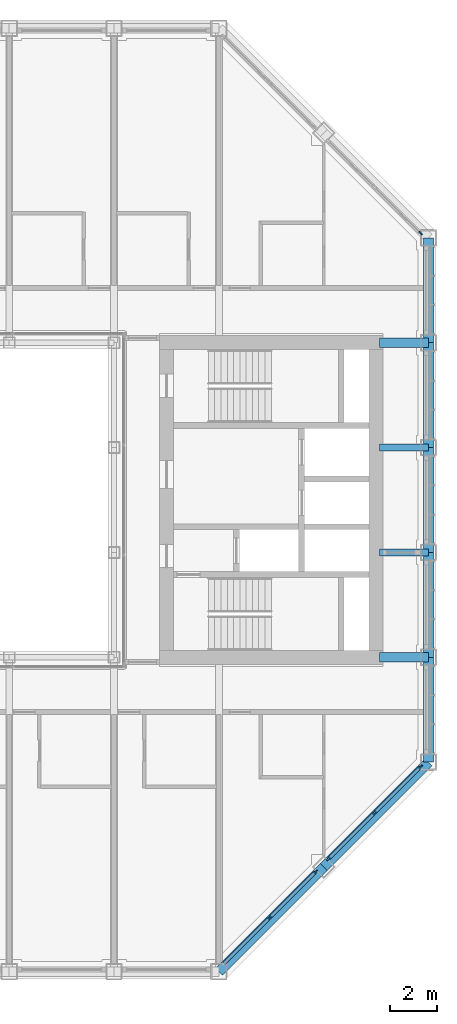
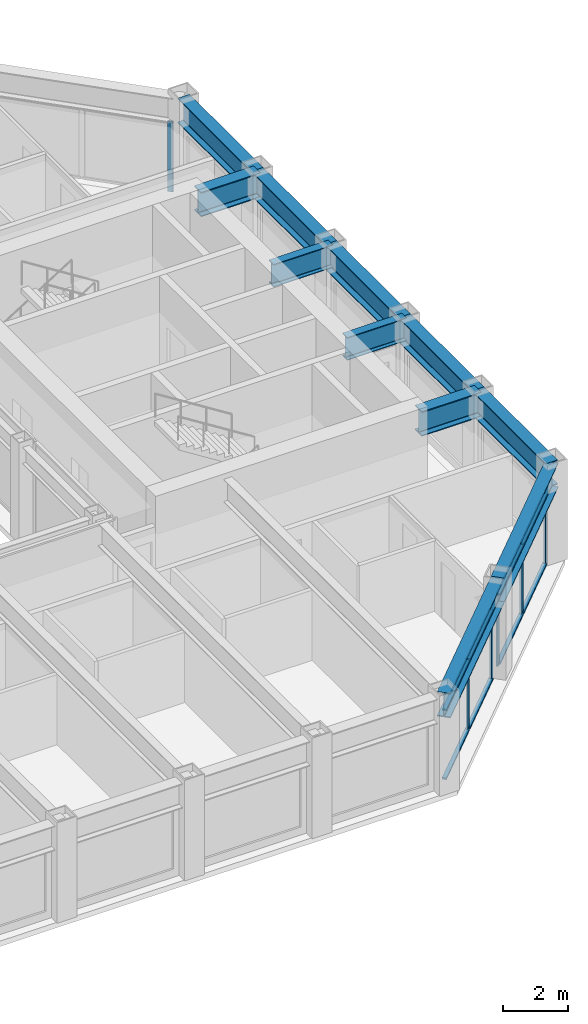
# One storey, part 5 of 18: 14 members, 11 beams, 3 elements without a shape of their own.
"""IFC4 building model written with IfcOpenShell, lengths in metres."""

from ifc_helpers import new_model, si_unit, direction, frame, origin, origin_2d, place, context, subcontext, project, spatial, rectangle, i_section, extrude, material, material_profile, profile_set, type_object, element, aggregate, save


model = new_model("IFC4")

# Units and contexts
model_context = context("Model", 3, precision=1e-05, world=origin(), true_north=direction((0.0, 1.0)))
body_context = subcontext(model_context, "Body", "Model", "MODEL_VIEW")
ifc_project = project(units=[si_unit("LENGTHUNIT", "METRE"), si_unit("AREAUNIT", "SQUARE_METRE"), si_unit("VOLUMEUNIT", "CUBIC_METRE"), si_unit("PLANEANGLEUNIT", "RADIAN"), si_unit("MASSUNIT", "GRAM", prefix="KILO")], contexts=[model_context])

# Site, building, storey
site_placement = place(None, origin())
site = spatial("IfcSite", under=ifc_project, at=site_placement, CompositionType="ELEMENT")
building_placement = place(site_placement, origin())
building = spatial("IfcBuilding", under=site, at=building_placement, Name="Msasa Ring Tower", CompositionType="ELEMENT")
storey_placement = place(building_placement, frame((0.0, 0.0, 200.800048828125)))
storey = spatial("IfcBuildingStorey", under=building, at=storey_placement, Name="L52", CompositionType="ELEMENT", Elevation=200.800048828125)

# Curtain wall, members
ifc_material_1 = material(Name="Aluminium curtain wall with clear glass", Category="aluminium")
curtain_wall_type = type_object("IfcCurtainWallType", Name="CW-C CHAMFER CORNER CURTAIN WALL", PredefinedType="NOTDEFINED", material=ifc_material_1)
curtain_wall_1_placement = place(storey_placement, origin())
curtain_wall_1 = element("IfcCurtainWall", 1, at=curtain_wall_1_placement, inside=storey, type_object=curtain_wall_type, Name="Chamfer corner curtain wall SE L52", PredefinedType="NOTDEFINED")
ifc_material_2 = material(Name="Aluminium mullion", Category="aluminium")
ifc_material_profile_1 = material_profile(ifc_material_2, rectangle(XDim=0.06494140625, YDim=0.179931640625, at=origin_2d()), Name="AL 65x180")
ifc_profile_set_1 = profile_set([ifc_material_profile_1], Name="Aluminium mullion")
member_type_1 = type_object("IfcMemberType", Name="CW-C MULLION 65x180", PredefinedType="MULLION", material=ifc_profile_set_1)
member_1_placement = place(storey_placement, frame((13.42919921875, -17.92919921875, 0.0), z_axis=(0.0, 0.0, 1.0), x_axis=(-0.707106781187, 0.707106781187, 0.0)))
member_1 = element("IfcMember", 2, at=member_1_placement, type_object=member_type_1, Name="CW-C mullion 2", PredefinedType="MULLION", context=body_context, shape_type="SweptSolid", body=[
    extrude(rectangle(XDim=0.06494140625, YDim=0.179931640625, at=origin_2d()), origin(), (0.0, 0.0, 1.0), 2.62890625),
])
member_2_placement = place(storey_placement, frame((15.4052734375, -15.953369140625, 0.0), z_axis=(0.0, 0.0, 1.0), x_axis=(-0.707106781187, 0.707106781187, 0.0)))
member_2 = element("IfcMember", 3, at=member_2_placement, type_object=member_type_1, Name="CW-C mullion 3", PredefinedType="MULLION", context=body_context, shape_type="SweptSolid", body=[
    extrude(rectangle(XDim=0.06494140625, YDim=0.179931640625, at=origin_2d()), origin(), (0.0, 0.0, 1.0), 2.62890625),
])

curtain_wall_2_placement = place(storey_placement, origin())
curtain_wall_2 = element("IfcCurtainWall", 4, at=curtain_wall_2_placement, inside=storey, type_object=curtain_wall_type, Name="Chamfer corner curtain wall SE L52", PredefinedType="NOTDEFINED")
member_3_placement = place(storey_placement, frame((15.953369140625, -15.4052734375, 0.0), z_axis=(0.0, 0.0, 1.0), x_axis=(-0.707106781187, 0.707106781187, 0.0)))
member_3 = element("IfcMember", 5, at=member_3_placement, type_object=member_type_1, Name="CW-C mullion 1", PredefinedType="MULLION", context=body_context, shape_type="SweptSolid", body=[
    extrude(rectangle(XDim=0.06494140625, YDim=0.179931640625, at=origin_2d()), origin(), (0.0, 0.0, 1.0), 2.62890625),
])
member_4_placement = place(storey_placement, frame((17.92919921875, -13.42919921875, 0.0), z_axis=(0.0, 0.0, 1.0), x_axis=(-0.707106781187, 0.707106781187, 0.0)))
member_4 = element("IfcMember", 6, at=member_4_placement, type_object=member_type_1, Name="CW-C mullion 2", PredefinedType="MULLION", context=body_context, shape_type="SweptSolid", body=[
    extrude(rectangle(XDim=0.06494140625, YDim=0.179931640625, at=origin_2d()), origin(), (0.0, 0.0, 1.0), 2.62890625),
])
member_5_placement = place(storey_placement, frame((19.9052734375, -11.453369140625, 0.0), z_axis=(0.0, 0.0, 1.0), x_axis=(-0.707106781187, 0.707106781187, 0.0)))
member_5 = element("IfcMember", 7, at=member_5_placement, type_object=member_type_1, Name="CW-C mullion 3", PredefinedType="MULLION", context=body_context, shape_type="SweptSolid", body=[
    extrude(rectangle(XDim=0.06494140625, YDim=0.179931640625, at=origin_2d()), origin(), (0.0, 0.0, 1.0), 2.62890625),
])

# Curtain wall, member
curtain_wall_3_placement = place(storey_placement, origin())
curtain_wall_3 = element("IfcCurtainWall", 8, at=curtain_wall_3_placement, inside=storey, type_object=curtain_wall_type, Name="Chamfer corner curtain wall NE L52", PredefinedType="NOTDEFINED")
member_6_placement = place(storey_placement, frame((19.9052734375, 11.453369140625, 0.0), z_axis=(0.0, 0.0, 1.0), x_axis=(-0.707106781187, -0.707106781187, 0.0)))
member_6 = element("IfcMember", 9, at=member_6_placement, type_object=member_type_1, Name="CW-C mullion 1", PredefinedType="MULLION", context=body_context, shape_type="SweptSolid", body=[
    extrude(rectangle(XDim=0.06494140625, YDim=0.179931640625, at=origin_2d()), origin(), (0.0, 0.0, 1.0), 2.62890625),
])
aggregate(curtain_wall_3, [member_6])

# Member
ifc_material_3 = material(Name="Aluminium transom", Category="aluminium")
ifc_material_profile_2 = material_profile(ifc_material_3, rectangle(XDim=0.139892578125, YDim=0.06494140625, at=origin_2d()), Name="AL 65x140")
ifc_profile_set_2 = profile_set([ifc_material_profile_2], Name="Aluminium transom")
member_type_2 = type_object("IfcMemberType", Name="CW-C TRANSOM 65x140", PredefinedType="USERDEFINED", material=ifc_profile_set_2)
member_7_placement = place(storey_placement, frame((11.476318359375, -19.88232421875, 0.032470703125), z_axis=(0.707106781187, 0.707106781187, 0.0), x_axis=(-0.707106781187, 0.707106781187, 0.0)))
member_7 = element("IfcMember", 10, at=member_7_placement, type_object=member_type_2, Name="CW-C transom 1.1", ObjectType="TRANSOM", PredefinedType="USERDEFINED", context=body_context, shape_type="SweptSolid", body=[
    extrude(rectangle(XDim=0.139892578125, YDim=0.06494140625, at=origin_2d()), origin(), (0.0, 0.0, 1.0), 2.729248046875),
])

member_8_placement = place(storey_placement, frame((11.476318359375, -19.88232421875, 2.596435546875), z_axis=(0.707106781187, 0.707106781187, 0.0), x_axis=(-0.707106781187, 0.707106781187, 0.0)))
member_8 = element("IfcMember", 11, at=member_8_placement, type_object=member_type_2, Name="CW-C transom 1.2", ObjectType="TRANSOM", PredefinedType="USERDEFINED", context=body_context, shape_type="SweptSolid", body=[
    extrude(rectangle(XDim=0.139892578125, YDim=0.06494140625, at=origin_2d()), origin(), (0.0, 0.0, 1.0), 2.729248046875),
])

member_9_placement = place(storey_placement, frame((13.452392578125, -17.90625, 0.032470703125), z_axis=(0.707106781187, 0.707106781187, 0.0), x_axis=(-0.707106781187, 0.707106781187, 0.0)))
member_9 = element("IfcMember", 12, at=member_9_placement, type_object=member_type_2, Name="CW-C transom 2.1", ObjectType="TRANSOM", PredefinedType="USERDEFINED", context=body_context, shape_type="SweptSolid", body=[
    extrude(rectangle(XDim=0.139892578125, YDim=0.06494140625, at=origin_2d()), origin(), (0.0, 0.0, 1.0), 2.729248046875),
])

member_10_placement = place(storey_placement, frame((13.452392578125, -17.90625, 2.596435546875), z_axis=(0.707106781187, 0.707106781187, 0.0), x_axis=(-0.707106781187, 0.707106781187, 0.0)))
member_10 = element("IfcMember", 13, at=member_10_placement, type_object=member_type_2, Name="CW-C transom 2.2", ObjectType="TRANSOM", PredefinedType="USERDEFINED", context=body_context, shape_type="SweptSolid", body=[
    extrude(rectangle(XDim=0.139892578125, YDim=0.06494140625, at=origin_2d()), origin(), (0.0, 0.0, 1.0), 2.729248046875),
])

aggregate(curtain_wall_1, [member_1, member_2, member_7, member_8, member_9, member_10])

member_11_placement = place(storey_placement, frame((15.976318359375, -15.38232421875, 0.032470703125), z_axis=(0.707106781187, 0.707106781187, 0.0), x_axis=(-0.707106781187, 0.707106781187, 0.0)))
member_11 = element("IfcMember", 14, at=member_11_placement, type_object=member_type_2, Name="CW-C transom 1.1", ObjectType="TRANSOM", PredefinedType="USERDEFINED", context=body_context, shape_type="SweptSolid", body=[
    extrude(rectangle(XDim=0.139892578125, YDim=0.06494140625, at=origin_2d()), origin(), (0.0, 0.0, 1.0), 2.729248046875),
])

member_12_placement = place(storey_placement, frame((15.976318359375, -15.38232421875, 2.596435546875), z_axis=(0.707106781187, 0.707106781187, 0.0), x_axis=(-0.707106781187, 0.707106781187, 0.0)))
member_12 = element("IfcMember", 15, at=member_12_placement, type_object=member_type_2, Name="CW-C transom 1.2", ObjectType="TRANSOM", PredefinedType="USERDEFINED", context=body_context, shape_type="SweptSolid", body=[
    extrude(rectangle(XDim=0.139892578125, YDim=0.06494140625, at=origin_2d()), origin(), (0.0, 0.0, 1.0), 2.729248046875),
])

member_13_placement = place(storey_placement, frame((17.952392578125, -13.40625, 0.032470703125), z_axis=(0.707106781187, 0.707106781187, 0.0), x_axis=(-0.707106781187, 0.707106781187, 0.0)))
member_13 = element("IfcMember", 16, at=member_13_placement, type_object=member_type_2, Name="CW-C transom 2.1", ObjectType="TRANSOM", PredefinedType="USERDEFINED", context=body_context, shape_type="SweptSolid", body=[
    extrude(rectangle(XDim=0.139892578125, YDim=0.06494140625, at=origin_2d()), origin(), (0.0, 0.0, 1.0), 2.729248046875),
])

member_14_placement = place(storey_placement, frame((17.952392578125, -13.40625, 2.596435546875), z_axis=(0.707106781187, 0.707106781187, 0.0), x_axis=(-0.707106781187, 0.707106781187, 0.0)))
member_14 = element("IfcMember", 17, at=member_14_placement, type_object=member_type_2, Name="CW-C transom 2.2", ObjectType="TRANSOM", PredefinedType="USERDEFINED", context=body_context, shape_type="SweptSolid", body=[
    extrude(rectangle(XDim=0.139892578125, YDim=0.06494140625, at=origin_2d()), origin(), (0.0, 0.0, 1.0), 2.729248046875),
])

aggregate(curtain_wall_2, [member_3, member_4, member_5, member_11, member_12, member_13, member_14])

# Beams
ifc_material_4 = material(Name="Steel S355", Category="steel")
ifc_material_profile_3 = material_profile(ifc_material_4, i_section(OverallWidth=0.293701171875, OverallDepth=0.850830078125, WebThickness=0.01611328125, FlangeThickness=0.02685546875, FilletRadius=0.017822265625, at=origin_2d()), Name="UB 838x292x226")
ifc_profile_set_3 = profile_set([ifc_material_profile_3], Name="Steel S355")
beam_type_1 = type_object("IfcBeamType", Name="FB5 UB 838x292x226", PredefinedType="BEAM", material=ifc_profile_set_3)
for number, where, z_axis, x_axis, name in (
    (18, (20.25, -2.25, 3.12451171875), (-1.0, 0.0, 0.0), (0.0, -1.0, 0.0), "Floor beam E -2.25 under L53"),
    (19, (20.25, 2.25, 3.12451171875), (-1.0, 0.0, 0.0), (0.0, -1.0, 0.0), "Floor beam E +2.25 under L53"),
):
    element("IfcBeam", number, at=place(storey_placement, frame(where, z_axis=z_axis, x_axis=x_axis)), inside=storey, type_object=beam_type_1, Name=name, PredefinedType="BEAM", context=body_context, shape_type="SweptSolid", body=[
        extrude(i_section(OverallWidth=0.293701171875, OverallDepth=0.850830078125, WebThickness=0.01611328125, FlangeThickness=0.02685546875, FilletRadius=0.017822265625, at=origin_2d()), origin(), (0.0, 0.0, 1.0), 2.10009765625),
    ])
ifc_material_5 = material(Name="Steel S355", Category="steel")
ifc_material_profile_4 = material_profile(ifc_material_5, i_section(OverallWidth=0.42041015625, OverallDepth=0.9208984375, WebThickness=0.021484375, FlangeThickness=0.03662109375, FilletRadius=0.024169921875, at=origin_2d()), Name="UB 914x419x388")
ifc_profile_set_4 = profile_set([ifc_material_profile_4], Name="Steel S355")
beam_type_2 = type_object("IfcBeamType", Name="GB1 UB 914x419x388", PredefinedType="BEAM", material=ifc_profile_set_4)
for number, where, z_axis, x_axis, name in (
    (20, (18.14990234375, 6.75, 3.08935546875), (1.0, 0.0, 0.0), (0.0, 1.0, 0.0), "Girder E +6.75 under L53"),
    (21, (18.14990234375, -6.75, 3.08935546875), (1.0, 0.0, 0.0), (0.0, 1.0, 0.0), "Girder E -6.75 under L53"),
):
    element("IfcBeam", number, at=place(storey_placement, frame(where, z_axis=z_axis, x_axis=x_axis)), inside=storey, type_object=beam_type_2, Name=name, PredefinedType="BEAM", context=body_context, shape_type="SweptSolid", body=[
        extrude(i_section(OverallWidth=0.42041015625, OverallDepth=0.9208984375, WebThickness=0.021484375, FlangeThickness=0.03662109375, FilletRadius=0.024169921875, at=origin_2d()), origin(), (0.0, 0.0, 1.0), 2.10009765625),
    ])
ifc_material_6 = material(Name="Steel S355", Category="steel")
ifc_material_profile_5 = material_profile(ifc_material_6, i_section(OverallWidth=0.42041015625, OverallDepth=0.9208984375, WebThickness=0.021484375, FlangeThickness=0.03662109375, FilletRadius=0.024169921875, at=origin_2d()), Name="UB 914x419x388")
ifc_profile_set_5 = profile_set([ifc_material_profile_5], Name="Steel S355")
beam_type_3 = type_object("IfcBeamType", Name="SB1 UB 914x419x388", PredefinedType="SPANDREL", material=ifc_profile_set_5)
for number, where, z_axis, x_axis, name in (
    (22, (11.25, -20.25, 3.08935546875), (0.707106781187, 0.707106781187, 0.0), (-0.707106781187, 0.707106781187, 0.0), "Spandrel S+11.25 to SE under L53"),
    (23, (15.75, -15.75, 3.08935546875), (0.707106781187, 0.707106781187, 0.0), (-0.707106781187, 0.707106781187, 0.0), "Spandrel SE to E-11.25 under L53"),
):
    element("IfcBeam", number, at=place(storey_placement, frame(where, z_axis=z_axis, x_axis=x_axis)), inside=storey, type_object=beam_type_3, Name=name, PredefinedType="SPANDREL", context=body_context, shape_type="SweptSolid", body=[
        extrude(i_section(OverallWidth=0.42041015625, OverallDepth=0.9208984375, WebThickness=0.021484375, FlangeThickness=0.03662109375, FilletRadius=0.024169921875, at=origin_2d()), origin(), (0.0, 0.0, 1.0), 6.364013671875),
    ])
for number, where, z_axis, x_axis, name in (
    (24, (20.25, -11.25, 3.08935546875), (0.0, 1.0, 0.0), (-1.0, 0.0, 0.0), "Spandrel E-11.25 to E-6.75 under L53"),
    (25, (20.25, -6.75, 3.08935546875), (0.0, 1.0, 0.0), (-1.0, 0.0, 0.0), "Spandrel E-6.75 to E-2.25 under L53"),
    (26, (20.25, -2.25, 3.08935546875), (0.0, 1.0, 0.0), (-1.0, 0.0, 0.0), "Spandrel E-2.25 to E+2.25 under L53"),
    (27, (20.25, 2.25, 3.08935546875), (0.0, 1.0, 0.0), (-1.0, 0.0, 0.0), "Spandrel E+2.25 to E+6.75 under L53"),
    (28, (20.25, 6.75, 3.08935546875), (0.0, 1.0, 0.0), (-1.0, 0.0, 0.0), "Spandrel E+6.75 to E+11.25 under L53"),
):
    element("IfcBeam", number, at=place(storey_placement, frame(where, z_axis=z_axis, x_axis=x_axis)), inside=storey, type_object=beam_type_3, Name=name, PredefinedType="SPANDREL", context=body_context, shape_type="SweptSolid", body=[
        extrude(i_section(OverallWidth=0.42041015625, OverallDepth=0.9208984375, WebThickness=0.021484375, FlangeThickness=0.03662109375, FilletRadius=0.024169921875, at=origin_2d()), origin(), (0.0, 0.0, 1.0), 4.5),
    ])

save(model, "model.ifc")
